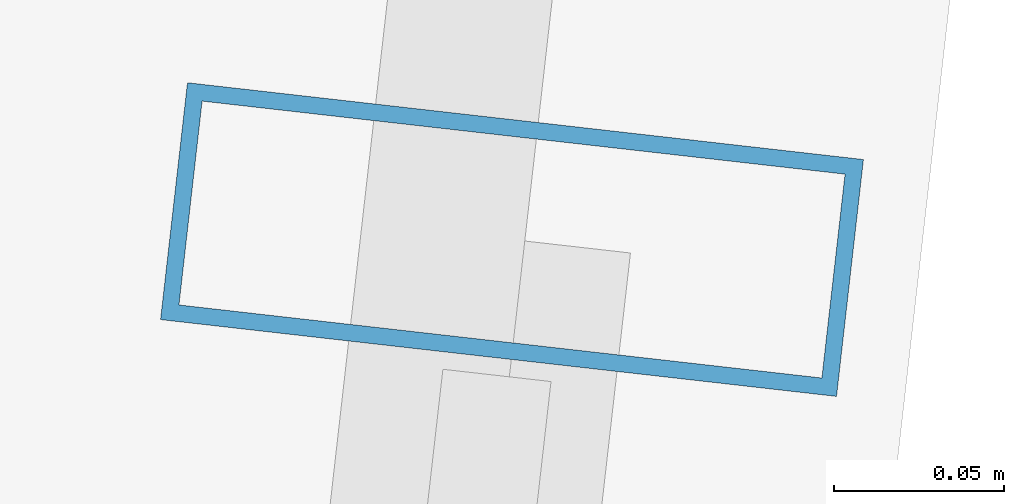
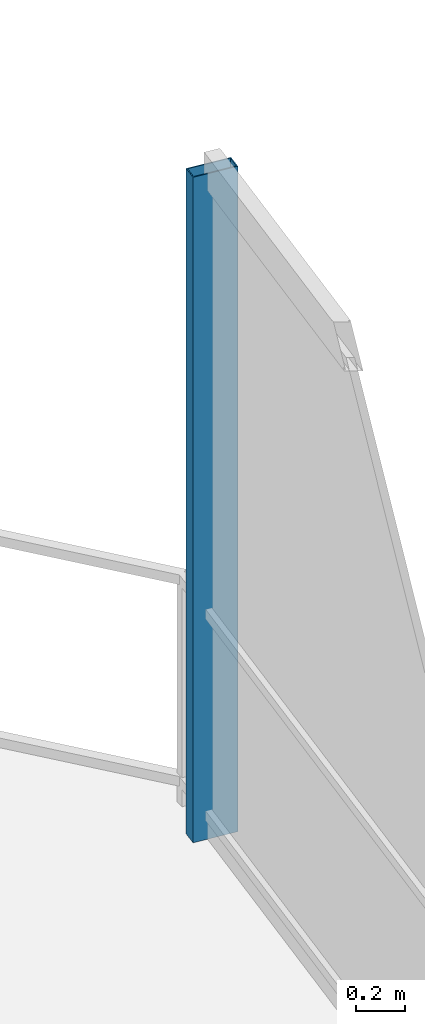
# One storey, part 16 of 22: 1 member, 1 element without a shape of its own.
"""IFC4 building model written with IfcOpenShell, lengths in metres."""

import ifcopenshell
import ifcopenshell.guid

model = None  # the IFC model being written
_history = None  # IfcOwnerHistory: only IFC2X3 demands one
_inside = {}  # id of a spatial element -> (the spatial element, [elements in it])
_under = {}  # id of a project, library or spatial element -> (it, [spatial elements below it])
_declared = {}  # id of a project -> (the project, [libraries it declares])
_typed = {}  # id of a type object -> (the type object, [elements of that type])
_made_of = {}  # id of a material, layer set ... -> (it, [elements and type objects made of it])


def new_model(schema):
    """Start an empty IFC model of exactly this schema.

    Asked for "IFC4X3", IfcOpenShell would pick the latest addendum, in which some entities
    have other attributes; the version numbers below select the first issue.
    IFC2X3 requires an IfcOwnerHistory on every rooted entity: one is made here for all.
    """
    global model, _history
    if schema == "IFC4X3":
        model = ifcopenshell.file(schema_version=(4, 3, 0, 0))
    else:
        model = ifcopenshell.file(schema=schema)
    _inside.clear()
    _under.clear()
    _declared.clear()
    _typed.clear()
    _made_of.clear()
    _history = None
    if model.schema == "IFC2X3":
        org = make("IfcOrganization", Name="unknown")
        user = make(
            "IfcPersonAndOrganization",
            ThePerson=make("IfcPerson", FamilyName="unknown"),
            TheOrganization=org,
        )
        app = make(
            "IfcApplication",
            ApplicationDeveloper=org,
            Version="unknown",
            ApplicationFullName="unknown",
            ApplicationIdentifier="unknown",
        )
        _history = make(
            "IfcOwnerHistory",
            OwningUser=user,
            OwningApplication=app,
            ChangeAction="ADDED",
            CreationDate=0,
        )
    return model


def make(cls, **values):
    """One entity of the class cls with the attributes given. An attribute that is None is left unset."""
    return model.create_entity(
        cls, **{name: value for name, value in values.items() if value is not None}
    )


def rooted(cls, **values):
    """An entity with a GlobalId (a new one), such as an element, a storey or a relation."""
    return make(cls, GlobalId=ifcopenshell.guid.new(), OwnerHistory=_history, **values)


def si_unit(unit_type, name, prefix=None):
    """IfcSIUnit, for example si_unit("LENGTHUNIT", "METRE", prefix="MILLI")."""
    return make("IfcSIUnit", UnitType=unit_type, Prefix=prefix, Name=name)


def assignment(units):
    """IfcUnitAssignment: the units of a project."""
    return None if units is None else make("IfcUnitAssignment", Units=units)


def point(xyz):
    """IfcCartesianPoint."""
    return None if xyz is None else make("IfcCartesianPoint", Coordinates=xyz)


def direction(xyz):
    """IfcDirection."""
    return None if xyz is None else make("IfcDirection", DirectionRatios=xyz)


def frame(location, z_axis=None, x_axis=None):
    """IfcAxis2Placement3D, a coordinate frame: its origin and axes. An axis left out is left unset."""
    return make(
        "IfcAxis2Placement3D",
        Location=point(location),
        Axis=direction(z_axis),
        RefDirection=direction(x_axis),
    )


def frame_2d(location, x_axis=None):
    """IfcAxis2Placement2D, a coordinate frame in the plane: its origin and x axis."""
    return make(
        "IfcAxis2Placement2D", Location=point(location), RefDirection=direction(x_axis)
    )


def origin():
    """The frame at (0, 0, 0) with its axes left unset."""
    return frame((0.0, 0.0, 0.0))


def origin_2d():
    """The frame at (0, 0) in the plane with its x axis left unset."""
    return frame_2d((0.0, 0.0))


def place(relative_to, where):
    """IfcLocalPlacement: puts the frame where relative to a parent placement (None: the world)."""
    return make(
        "IfcLocalPlacement", PlacementRelTo=relative_to, RelativePlacement=where
    )


def context(
    kind, dimensions, precision=None, world=None, true_north=None, identifier=None
):
    """IfcGeometricRepresentationContext, for example the 3D "Model" context."""
    return make(
        "IfcGeometricRepresentationContext",
        ContextIdentifier=identifier,
        ContextType=kind,
        CoordinateSpaceDimension=dimensions,
        Precision=precision,
        WorldCoordinateSystem=world,
        TrueNorth=true_north,
    )


def subcontext(parent, identifier, kind, view, scale=None):
    """IfcGeometricRepresentationSubContext, for example "Body" below "Model"."""
    return make(
        "IfcGeometricRepresentationSubContext",
        ContextIdentifier=identifier,
        ContextType=kind,
        ParentContext=parent,
        TargetScale=scale,
        TargetView=view,
    )


def project(units=None, contexts=None):
    """IfcProject with its units and contexts."""
    return rooted(
        "IfcProject",
        Name="project",
        RepresentationContexts=contexts,
        UnitsInContext=assignment(units),
    )


def spatial(cls, under=None, at=None, **own):
    """A site, building, storey or space (cls), placed at a placement, below another one or the project."""
    s = rooted(cls, ObjectPlacement=at, **own)
    if under is not None:
        _under.setdefault(under.id(), (under, []))[1].append(s)
    return s


def profile(cls, at=None, kind="AREA", **sizes):
    """A parametric profile (cls). Its sizes go by their IFC names, for example OverallWidth=200.0."""
    return make(cls, ProfileType=kind, Position=at, **sizes)


def hollow_rectangle(**sizes):
    """IfcRectangleHollowProfileDef."""
    return profile("IfcRectangleHollowProfileDef", **sizes)


def extrude(swept, where, along, depth):
    """IfcExtrudedAreaSolid: the profile swept, set in the frame where, extruded along a direction by depth."""
    return make(
        "IfcExtrudedAreaSolid",
        SweptArea=swept,
        Position=where,
        ExtrudedDirection=direction(along),
        Depth=depth,
    )


def shape(context_of_items, identifier, shape_type, items):
    """IfcShapeRepresentation: the items that make up one representation, for example the "Body"."""
    return make(
        "IfcShapeRepresentation",
        ContextOfItems=context_of_items,
        RepresentationIdentifier=identifier,
        RepresentationType=shape_type,
        Items=items,
    )


def material(Name=None, Category=None):
    """IfcMaterial."""
    return make("IfcMaterial", Name=Name, Category=Category)


def layer(
    of_material, thickness, ventilated=None, Name=None, Category=None, Priority=None
):
    """IfcMaterialLayer: one layer of a wall or slab, of a material (None: an air gap)."""
    return make(
        "IfcMaterialLayer",
        Material=of_material,
        LayerThickness=thickness,
        IsVentilated=ventilated,
        Name=Name,
        Category=Category,
        Priority=Priority,
    )


def layer_set(layers, Name=None):
    """IfcMaterialLayerSet."""
    return make("IfcMaterialLayerSet", MaterialLayers=layers, LayerSetName=Name)


def material_profile(
    of_material, cross_section, Name=None, Category=None, Priority=None
):
    """IfcMaterialProfile: a cross section and its material."""
    return make(
        "IfcMaterialProfile",
        Name=Name,
        Material=of_material,
        Profile=cross_section,
        Priority=Priority,
        Category=Category,
    )


def profile_set(profiles, Name=None, composite=None):
    """IfcMaterialProfileSet."""
    return make(
        "IfcMaterialProfileSet",
        Name=Name,
        MaterialProfiles=profiles,
        CompositeProfile=composite,
    )


def made_of(thing, what):
    """Note that an element or type object is made of a material, layer set ...; save() writes the relation."""
    if what is not None:
        _made_of.setdefault(what.id(), (what, []))[1].append(thing)
    return thing


def type_object(cls, material=None, **own):
    """A type object (cls), such as IfcWallType, which elements share."""
    return made_of(rooted(cls, **own), material)


def element(
    cls,
    number,
    at=None,
    inside=None,
    cuts=None,
    type_object=None,
    material=None,
    context=None,
    identifier="Body",
    shape_type=None,
    held_by="IfcProductDefinitionShape",
    body=None,
    shapes=None,
    **own,
):
    """One element of the class cls, such as IfcWall. Its Tag is "e" and its number.

    at: its placement. inside: the storey or other place that contains it. cuts: it is an
    opening in that element (IfcRelVoidsElement). A single representation is given by context,
    identifier, shape_type and body (its items); several are given by shapes. held_by: the class
    of the entity that holds the representations. save() writes the other relations.
    """
    e = rooted(cls, Tag="e%d" % number, ObjectPlacement=at, **own)
    if body is not None:
        shapes = [shape(context, identifier, shape_type, body)]
    if shapes is not None:
        e.Representation = make(held_by, Representations=shapes)
    if inside is not None:
        _inside.setdefault(inside.id(), (inside, []))[1].append(e)
    if cuts is not None:
        rooted(
            "IfcRelVoidsElement", RelatingBuildingElement=cuts, RelatedOpeningElement=e
        )
    if type_object is not None:
        _typed.setdefault(type_object.id(), (type_object, []))[1].append(e)
    return made_of(e, material)


def aggregate(whole, parts):
    """IfcRelAggregates: a whole, such as a stair, and the parts it consists of."""
    return rooted("IfcRelAggregates", RelatingObject=whole, RelatedObjects=parts)


def save(model, path):
    """Write the relations noted so far, then the file.

    IfcRelAggregates (storeys below a building ...), IfcRelContainedInSpatialStructure (elements
    in a storey), IfcRelDefinesByType, IfcRelAssociatesMaterial and IfcRelDeclares: one each for
    every whole, place, type object, material and project.
    """
    for whole, parts in _under.values():
        aggregate(whole, parts)
    for where, things in _inside.values():
        rooted(
            "IfcRelContainedInSpatialStructure",
            RelatedElements=things,
            RelatingStructure=where,
        )
    for kind, things in _typed.values():
        rooted("IfcRelDefinesByType", RelatedObjects=things, RelatingType=kind)
    for what, things in _made_of.values():
        rooted("IfcRelAssociatesMaterial", RelatedObjects=things, RelatingMaterial=what)
    for by, libraries in _declared.values():
        rooted("IfcRelDeclares", RelatingContext=by, RelatedDefinitions=libraries)
    model.write(path)


model = new_model("IFC4")

# Units and contexts
model_context = context("Model", 3, precision=1e-05, world=origin(), true_north=direction((0.0, 1.0)))
body_context = subcontext(model_context, "Body", "Model", "MODEL_VIEW")
ifc_project = project(units=[si_unit("LENGTHUNIT", "METRE"), si_unit("AREAUNIT", "SQUARE_METRE"), si_unit("VOLUMEUNIT", "CUBIC_METRE"), si_unit("PLANEANGLEUNIT", "RADIAN"), si_unit("MASSUNIT", "GRAM", prefix="KILO")], contexts=[model_context])

# Site, building, storey
site_placement = place(None, origin())
site = spatial("IfcSite", under=ifc_project, at=site_placement, CompositionType="ELEMENT")
building_placement = place(site_placement, origin())
building = spatial("IfcBuilding", under=site, at=building_placement, Name="Qarnah Convention Tower", CompositionType="ELEMENT")
storey_placement = place(building_placement, frame((0.0, 0.0, 154.5)))
storey = spatial("IfcBuildingStorey", under=building, at=storey_placement, Name="L41", CompositionType="ELEMENT", Elevation=154.5)

# Curtain wall, member
ifc_material_1 = material(Name="Tempered Low-E dark glass", Category="glass")
ifc_layer = layer(ifc_material_1, 0.172119140625)
ifc_layer_set = layer_set([ifc_layer], Name="Tempered Low-E dark glass")
curtain_wall_type = type_object("IfcCurtainWallType", Name="CWS-03", PredefinedType="NOTDEFINED", material=ifc_layer_set)
curtain_wall_placement = place(storey_placement, origin())
curtain_wall = element("IfcCurtainWall", 1, at=curtain_wall_placement, inside=storey, type_object=curtain_wall_type, Name="L41 unitised curtain wall CW-L41-F3", PredefinedType="NOTDEFINED")
ifc_material_2 = material(Name="Black anodised aluminium", Category="aluminium")
ifc_material_profile = material_profile(ifc_material_2, hollow_rectangle(XDim=0.070068359375, YDim=0.199951171875, WallThickness=0.0048828125, at=origin_2d()), Name="MUL-70X200")
ifc_profile_set = profile_set([ifc_material_profile], Name="Black anodised aluminium")
member_type = type_object("IfcMemberType", Name="MUL-T3", PredefinedType="MULLION", material=ifc_profile_set)
member_placement = place(storey_placement, frame((56.097900390625, 39.819091796875, 0.0), z_axis=(0.0, 0.0, 1.0), x_axis=(-0.11288161714, -0.993608444264, 0.0)))
member = element("IfcMember", 2, at=member_placement, type_object=member_type, Name="CW-L41-F3 mullion 1", PredefinedType="MULLION", context=body_context, shape_type="SweptSolid", body=[
    extrude(hollow_rectangle(XDim=0.070068359375, YDim=0.199951171875, WallThickness=0.0048828125, at=origin_2d()), origin(), (0.0, 0.0, 1.0), 3.320068359375),
])
aggregate(curtain_wall, [member])

save(model, "model.ifc")
